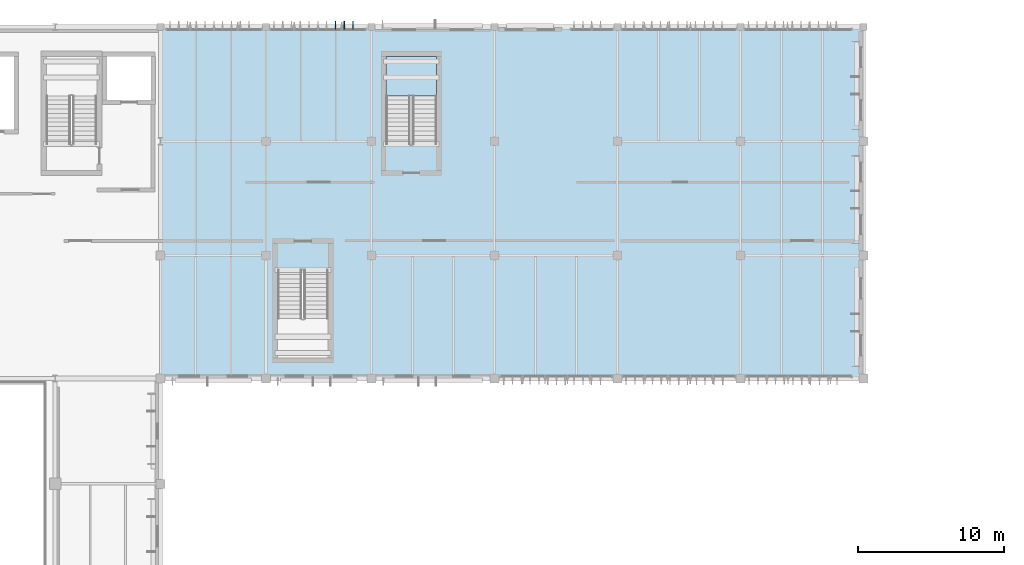
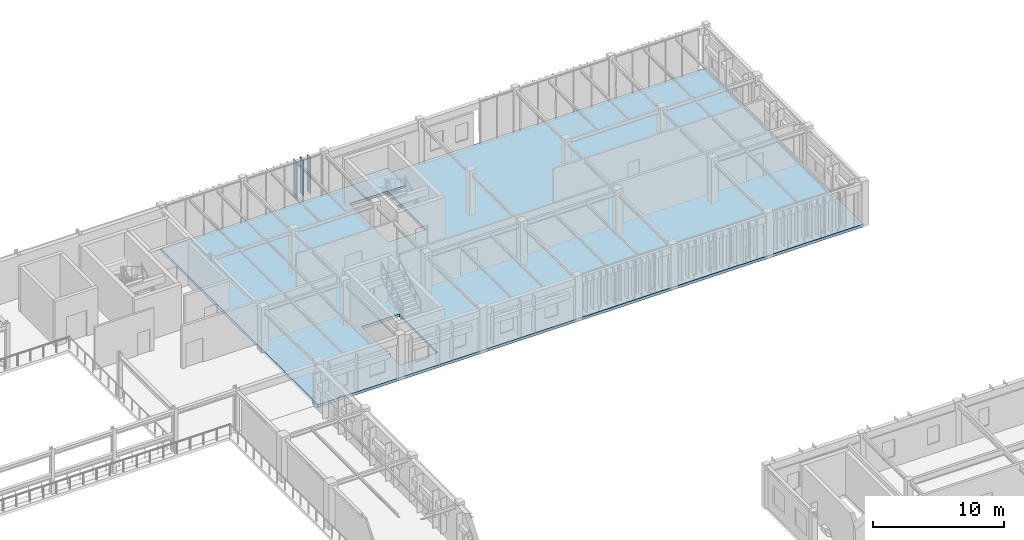
# One storey, part 30 of 104: 3 plates, 2 slabs, 1 element without a shape of its own.
"""IFC4 building model written with IfcOpenShell, lengths in metres."""

import ifcopenshell
import ifcopenshell.guid

model = None  # the IFC model being written
_history = None  # IfcOwnerHistory: only IFC2X3 demands one
_inside = {}  # id of a spatial element -> (the spatial element, [elements in it])
_under = {}  # id of a project, library or spatial element -> (it, [spatial elements below it])
_declared = {}  # id of a project -> (the project, [libraries it declares])
_typed = {}  # id of a type object -> (the type object, [elements of that type])
_made_of = {}  # id of a material, layer set ... -> (it, [elements and type objects made of it])


def new_model(schema):
    """Start an empty IFC model of exactly this schema.

    Asked for "IFC4X3", IfcOpenShell would pick the latest addendum, in which some entities
    have other attributes; the version numbers below select the first issue.
    IFC2X3 requires an IfcOwnerHistory on every rooted entity: one is made here for all.
    """
    global model, _history
    if schema == "IFC4X3":
        model = ifcopenshell.file(schema_version=(4, 3, 0, 0))
    else:
        model = ifcopenshell.file(schema=schema)
    _inside.clear()
    _under.clear()
    _declared.clear()
    _typed.clear()
    _made_of.clear()
    _history = None
    if model.schema == "IFC2X3":
        org = make("IfcOrganization", Name="unknown")
        user = make(
            "IfcPersonAndOrganization",
            ThePerson=make("IfcPerson", FamilyName="unknown"),
            TheOrganization=org,
        )
        app = make(
            "IfcApplication",
            ApplicationDeveloper=org,
            Version="unknown",
            ApplicationFullName="unknown",
            ApplicationIdentifier="unknown",
        )
        _history = make(
            "IfcOwnerHistory",
            OwningUser=user,
            OwningApplication=app,
            ChangeAction="ADDED",
            CreationDate=0,
        )
    return model


def make(cls, **values):
    """One entity of the class cls with the attributes given. An attribute that is None is left unset."""
    return model.create_entity(
        cls, **{name: value for name, value in values.items() if value is not None}
    )


def rooted(cls, **values):
    """An entity with a GlobalId (a new one), such as an element, a storey or a relation."""
    return make(cls, GlobalId=ifcopenshell.guid.new(), OwnerHistory=_history, **values)


def si_unit(unit_type, name, prefix=None):
    """IfcSIUnit, for example si_unit("LENGTHUNIT", "METRE", prefix="MILLI")."""
    return make("IfcSIUnit", UnitType=unit_type, Prefix=prefix, Name=name)


def assignment(units):
    """IfcUnitAssignment: the units of a project."""
    return None if units is None else make("IfcUnitAssignment", Units=units)


def point(xyz):
    """IfcCartesianPoint."""
    return None if xyz is None else make("IfcCartesianPoint", Coordinates=xyz)


def direction(xyz):
    """IfcDirection."""
    return None if xyz is None else make("IfcDirection", DirectionRatios=xyz)


def frame(location, z_axis=None, x_axis=None):
    """IfcAxis2Placement3D, a coordinate frame: its origin and axes. An axis left out is left unset."""
    return make(
        "IfcAxis2Placement3D",
        Location=point(location),
        Axis=direction(z_axis),
        RefDirection=direction(x_axis),
    )


def frame_2d(location, x_axis=None):
    """IfcAxis2Placement2D, a coordinate frame in the plane: its origin and x axis."""
    return make(
        "IfcAxis2Placement2D", Location=point(location), RefDirection=direction(x_axis)
    )


def origin():
    """The frame at (0, 0, 0) with its axes left unset."""
    return frame((0.0, 0.0, 0.0))


def origin_2d():
    """The frame at (0, 0) in the plane with its x axis left unset."""
    return frame_2d((0.0, 0.0))


def place(relative_to, where):
    """IfcLocalPlacement: puts the frame where relative to a parent placement (None: the world)."""
    return make(
        "IfcLocalPlacement", PlacementRelTo=relative_to, RelativePlacement=where
    )


def context(
    kind, dimensions, precision=None, world=None, true_north=None, identifier=None
):
    """IfcGeometricRepresentationContext, for example the 3D "Model" context."""
    return make(
        "IfcGeometricRepresentationContext",
        ContextIdentifier=identifier,
        ContextType=kind,
        CoordinateSpaceDimension=dimensions,
        Precision=precision,
        WorldCoordinateSystem=world,
        TrueNorth=true_north,
    )


def subcontext(parent, identifier, kind, view, scale=None):
    """IfcGeometricRepresentationSubContext, for example "Body" below "Model"."""
    return make(
        "IfcGeometricRepresentationSubContext",
        ContextIdentifier=identifier,
        ContextType=kind,
        ParentContext=parent,
        TargetScale=scale,
        TargetView=view,
    )


def project(units=None, contexts=None):
    """IfcProject with its units and contexts."""
    return rooted(
        "IfcProject",
        Name="project",
        RepresentationContexts=contexts,
        UnitsInContext=assignment(units),
    )


def spatial(cls, under=None, at=None, **own):
    """A site, building, storey or space (cls), placed at a placement, below another one or the project."""
    s = rooted(cls, ObjectPlacement=at, **own)
    if under is not None:
        _under.setdefault(under.id(), (under, []))[1].append(s)
    return s


def polyline(points):
    """IfcPolyline through the points."""
    return make("IfcPolyline", Points=[point(p) for p in points])


def profile(cls, at=None, kind="AREA", **sizes):
    """A parametric profile (cls). Its sizes go by their IFC names, for example OverallWidth=200.0."""
    return make(cls, ProfileType=kind, Position=at, **sizes)


def rectangle(**sizes):
    """IfcRectangleProfileDef."""
    return profile("IfcRectangleProfileDef", **sizes)


def outline(outer, holes=None, kind="AREA"):
    """IfcArbitraryClosedProfileDef: a profile drawn as a closed curve; with holes, ...WithVoids."""
    if holes is None:
        return make("IfcArbitraryClosedProfileDef", ProfileType=kind, OuterCurve=outer)
    return make(
        "IfcArbitraryProfileDefWithVoids",
        ProfileType=kind,
        OuterCurve=outer,
        InnerCurves=holes,
    )


def extrude(swept, where, along, depth):
    """IfcExtrudedAreaSolid: the profile swept, set in the frame where, extruded along a direction by depth."""
    return make(
        "IfcExtrudedAreaSolid",
        SweptArea=swept,
        Position=where,
        ExtrudedDirection=direction(along),
        Depth=depth,
    )


def shape(context_of_items, identifier, shape_type, items):
    """IfcShapeRepresentation: the items that make up one representation, for example the "Body"."""
    return make(
        "IfcShapeRepresentation",
        ContextOfItems=context_of_items,
        RepresentationIdentifier=identifier,
        RepresentationType=shape_type,
        Items=items,
    )


def material(Name=None, Category=None):
    """IfcMaterial."""
    return make("IfcMaterial", Name=Name, Category=Category)


def layer(
    of_material, thickness, ventilated=None, Name=None, Category=None, Priority=None
):
    """IfcMaterialLayer: one layer of a wall or slab, of a material (None: an air gap)."""
    return make(
        "IfcMaterialLayer",
        Material=of_material,
        LayerThickness=thickness,
        IsVentilated=ventilated,
        Name=Name,
        Category=Category,
        Priority=Priority,
    )


def layer_set(layers, Name=None):
    """IfcMaterialLayerSet."""
    return make("IfcMaterialLayerSet", MaterialLayers=layers, LayerSetName=Name)


def made_of(thing, what):
    """Note that an element or type object is made of a material, layer set ...; save() writes the relation."""
    if what is not None:
        _made_of.setdefault(what.id(), (what, []))[1].append(thing)
    return thing


def type_object(cls, material=None, **own):
    """A type object (cls), such as IfcWallType, which elements share."""
    return made_of(rooted(cls, **own), material)


def element(
    cls,
    number,
    at=None,
    inside=None,
    cuts=None,
    type_object=None,
    material=None,
    context=None,
    identifier="Body",
    shape_type=None,
    held_by="IfcProductDefinitionShape",
    body=None,
    shapes=None,
    **own,
):
    """One element of the class cls, such as IfcWall. Its Tag is "e" and its number.

    at: its placement. inside: the storey or other place that contains it. cuts: it is an
    opening in that element (IfcRelVoidsElement). A single representation is given by context,
    identifier, shape_type and body (its items); several are given by shapes. held_by: the class
    of the entity that holds the representations. save() writes the other relations.
    """
    e = rooted(cls, Tag="e%d" % number, ObjectPlacement=at, **own)
    if body is not None:
        shapes = [shape(context, identifier, shape_type, body)]
    if shapes is not None:
        e.Representation = make(held_by, Representations=shapes)
    if inside is not None:
        _inside.setdefault(inside.id(), (inside, []))[1].append(e)
    if cuts is not None:
        rooted(
            "IfcRelVoidsElement", RelatingBuildingElement=cuts, RelatedOpeningElement=e
        )
    if type_object is not None:
        _typed.setdefault(type_object.id(), (type_object, []))[1].append(e)
    return made_of(e, material)


def aggregate(whole, parts):
    """IfcRelAggregates: a whole, such as a stair, and the parts it consists of."""
    return rooted("IfcRelAggregates", RelatingObject=whole, RelatedObjects=parts)


def save(model, path):
    """Write the relations noted so far, then the file.

    IfcRelAggregates (storeys below a building ...), IfcRelContainedInSpatialStructure (elements
    in a storey), IfcRelDefinesByType, IfcRelAssociatesMaterial and IfcRelDeclares: one each for
    every whole, place, type object, material and project.
    """
    for whole, parts in _under.values():
        aggregate(whole, parts)
    for where, things in _inside.values():
        rooted(
            "IfcRelContainedInSpatialStructure",
            RelatedElements=things,
            RelatingStructure=where,
        )
    for kind, things in _typed.values():
        rooted("IfcRelDefinesByType", RelatedObjects=things, RelatingType=kind)
    for what, things in _made_of.values():
        rooted("IfcRelAssociatesMaterial", RelatedObjects=things, RelatingMaterial=what)
    for by, libraries in _declared.values():
        rooted("IfcRelDeclares", RelatingContext=by, RelatedDefinitions=libraries)
    model.write(path)


model = new_model("IFC4")

# Units and contexts
model_context = context("Model", 3, precision=1e-05, world=origin(), true_north=direction((0.0, 1.0)))
body_context = subcontext(model_context, "Body", "Model", "MODEL_VIEW")
ifc_project = project(units=[si_unit("LENGTHUNIT", "METRE"), si_unit("AREAUNIT", "SQUARE_METRE"), si_unit("VOLUMEUNIT", "CUBIC_METRE"), si_unit("PLANEANGLEUNIT", "RADIAN"), si_unit("MASSUNIT", "GRAM", prefix="KILO")], contexts=[model_context])

# Site, building, storey
site_placement = place(None, origin())
site = spatial("IfcSite", under=ifc_project, at=site_placement, CompositionType="ELEMENT")
building_placement = place(site_placement, origin())
building = spatial("IfcBuilding", under=site, at=building_placement, Name="Tazoul Stagehouse", CompositionType="ELEMENT")
storey_placement = place(building_placement, frame((0.0, 0.0, 9.0)))
storey = spatial("IfcBuildingStorey", under=building, at=storey_placement, Name="L02", CompositionType="ELEMENT", Elevation=9.0)

# Stair, slab
ifc_material_1 = material(Name="Concrete C40/50", Category="concrete")
stair_type = type_object("IfcStairType", Name="Protected Core Dogleg Stair 4200", PredefinedType="HALF_TURN_STAIR", material=ifc_material_1)
stair_placement = place(storey_placement, origin())
stair = element("IfcStair", 1, at=stair_placement, inside=storey, type_object=stair_type, Name="L02 Core Escape Stair ST-02", PredefinedType="HALF_TURN_STAIR")
ifc_layer_1 = layer(ifc_material_1, 0.179931640625, Name="Concrete C40/50")
ifc_layer_set_1 = layer_set([ifc_layer_1], Name="Concrete C40/50")
slab_type_1 = type_object("IfcSlabType", Name="Core Half-Landing Slab 180", PredefinedType="LANDING", material=ifc_layer_set_1)
slab_1_placement = place(storey_placement, frame((0.0, 0.0, 1.89990234375)))
slab_1 = element("IfcSlab", 2, at=slab_1_placement, type_object=slab_type_1, Name="ST-02 landing 1", PredefinedType="LANDING", context=body_context, shape_type="SweptSolid", body=[
    extrude(outline(polyline([(121.449951171875, 107.10009765625), (121.449951171875, 109.800048828125), (118.0, 109.800048828125), (118.0, 107.10009765625), (121.449951171875, 107.10009765625)])), origin(), (0.0, 0.0, 1.0), 0.2001953125),
])
aggregate(stair, [slab_1])

# Plates
ifc_material_2 = material(Name="Anodised Bronze Aluminium 6063-T6", Category="aluminium")
ifc_layer_2 = layer(ifc_material_2, 0.5400390625, Name="Anodised Bronze Aluminium 6063-T6")
ifc_layer_set_2 = layer_set([ifc_layer_2], Name="Anodised Bronze Aluminium 6063-T6")
plate_type = type_object("IfcPlateType", Name="Parametric Terracotta-Bronze Solar Fin 540x3400", PredefinedType="USERDEFINED", material=ifc_layer_set_2)
for number, where, z_axis, x_axis, name in (
    (3, (114.5400390625, 111.929931640625, 0.510009765625), (0.0, 0.0, 1.0), (1.0, 0.0, 0.0), "L02 Parametric Solar Fin SFN-20 (CW-V3-N1-L02-B2-08)"),
    (4, (115.139892578125, 111.929931640625, 0.510009765625), (0.0, 0.0, 1.0), (1.0, 0.0, 0.0), "L02 Parametric Solar Fin SFN-20 (CW-V3-N1-L02-B2-09)"),
    (5, (115.739990234375, 111.929931640625, 0.510009765625), (0.0, 0.0, 1.0), (1.0, 0.0, 0.0), "L02 Parametric Solar Fin SFN-20 (CW-V3-N1-L02-B2-10)"),
):
    element("IfcPlate", number, at=place(storey_placement, frame(where, z_axis=z_axis, x_axis=x_axis)), inside=storey, type_object=plate_type, Name=name, ObjectType="SOLAR FIN", PredefinedType="USERDEFINED", context=body_context, shape_type="SweptSolid", body=[
        extrude(rectangle(XDim=0.044921875, YDim=0.5400390625, at=origin_2d()), origin(), (0.0, 0.0, 1.0), 3.39990234375),
    ])

# Slab
ifc_material_3 = material(Name="Concrete C35/45", Category="concrete")
ifc_layer_3 = layer(ifc_material_3, 0.260009765625, Name="Concrete C35/45")
ifc_layer_set_3 = layer_set([ifc_layer_3], Name="Concrete C35/45")
slab_type_2 = type_object("IfcSlabType", Name="Suspended Floor Slab 260", PredefinedType="FLOOR", material=ifc_layer_set_3)
slab_2_placement = place(storey_placement, frame((0.0, 0.0, -0.260009765625)))
element("IfcSlab", 6, at=slab_2_placement, inside=storey, type_object=slab_type_2, Name="L02 Suspended Floor Slab 260 (V3)", PredefinedType="FLOOR", context=body_context, shape_type="SweptSolid", body=[
    extrude(outline(polyline([(102.60009765625, 87.800048828125), (102.60009765625, 111.800048828125), (150.60009765625, 111.800048828125), (150.60009765625, 87.800048828125), (102.60009765625, 87.800048828125)]), holes=[polyline([(113.989990234375, 89.260009765625), (110.659912109375, 89.260009765625), (110.659912109375, 95.139892578125), (113.989990234375, 95.139892578125), (113.989990234375, 89.260009765625)]), polyline([(118.06005859375, 103.860107421875), (118.06005859375, 109.739990234375), (121.389892578125, 109.739990234375), (121.389892578125, 103.860107421875), (118.06005859375, 103.860107421875)])]), origin(), (0.0, 0.0, 1.0), 0.260009765625),
])

save(model, "model.ifc")
